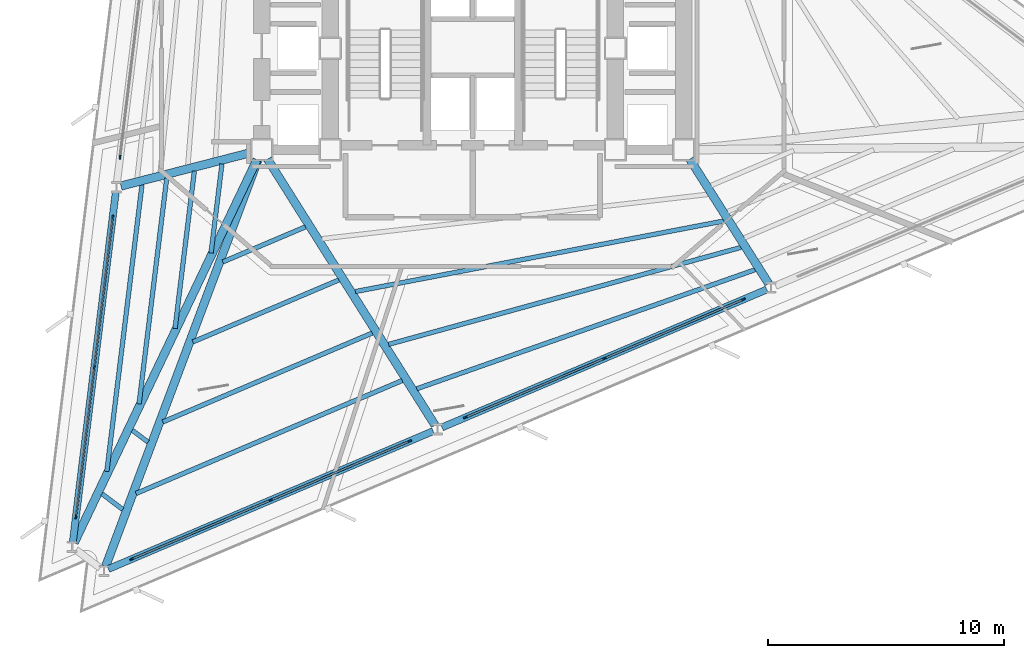
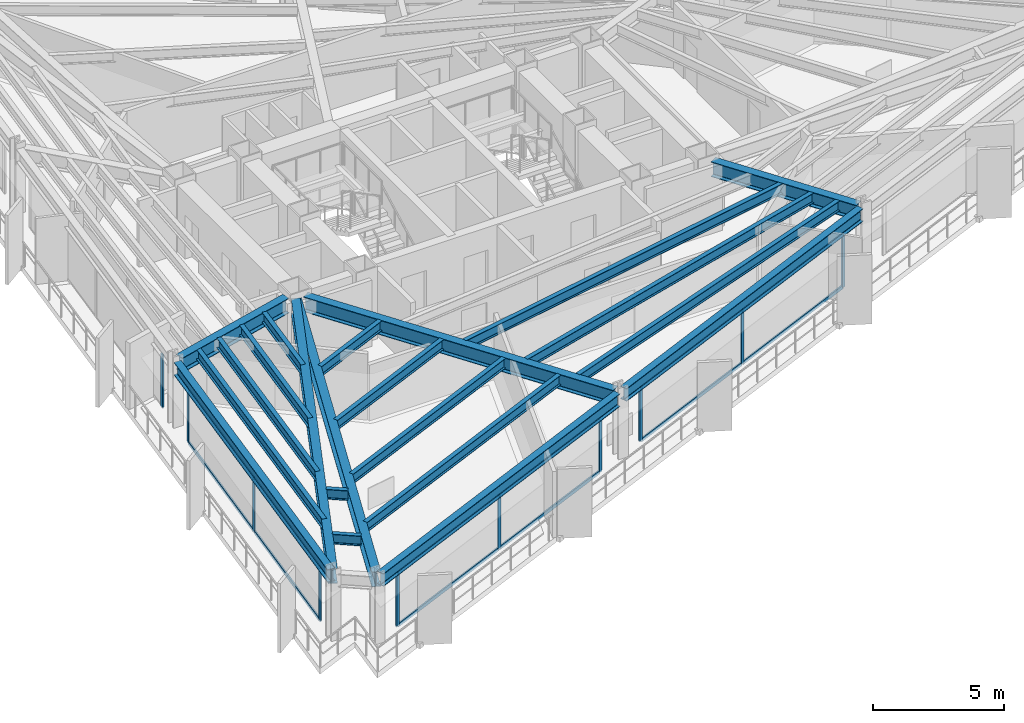
# One storey, part 2 of 13: 22 members, 21 beams, 4 elements without a shape of their own.
"""IFC4 building model written with IfcOpenShell, lengths in metres."""

from ifc_helpers import new_model, si_unit, direction, frame, origin, origin_2d, place, context, subcontext, project, spatial, rectangle, i_section, extrude, material, layer, layer_set, material_profile, profile_set, type_object, element, aggregate, save


model = new_model("IFC4")

# Units and contexts
model_context = context("Model", 3, precision=1e-05, world=origin(), true_north=direction((0.0, 1.0)))
body_context = subcontext(model_context, "Body", "Model", "MODEL_VIEW")
ifc_project = project(units=[si_unit("LENGTHUNIT", "METRE"), si_unit("AREAUNIT", "SQUARE_METRE"), si_unit("VOLUMEUNIT", "CUBIC_METRE"), si_unit("PLANEANGLEUNIT", "RADIAN"), si_unit("MASSUNIT", "GRAM", prefix="KILO")], contexts=[model_context])

# Site, building, storey
site_placement = place(None, origin())
site = spatial("IfcSite", under=ifc_project, at=site_placement, CompositionType="ELEMENT")
building_placement = place(site_placement, origin())
building = spatial("IfcBuilding", under=site, at=building_placement, Name="Rocaltana Carrier Exchange", CompositionType="ELEMENT")
storey_placement = place(building_placement, frame((0.0, 0.0, 52.9599609375)))
storey = spatial("IfcBuildingStorey", under=building, at=storey_placement, Name="L16", CompositionType="ELEMENT", Elevation=52.9599609375)

# Curtain wall, member
ifc_material_1 = material(Name="Aluminium 6063-T6", Category="aluminium")
ifc_layer = layer(ifc_material_1, 0.1650390625)
ifc_layer_set = layer_set([ifc_layer], Name="Aluminium 6063-T6")
curtain_wall_type = type_object("IfcCurtainWallType", Name="Lower-Mid Stepped Curtain Wall CW-02", PredefinedType="NOTDEFINED", material=ifc_layer_set)
curtain_wall_1_placement = place(storey_placement, origin())
curtain_wall_1 = element("IfcCurtainWall", 1, at=curtain_wall_1_placement, inside=storey, type_object=curtain_wall_type, Name="L16 CW-02 Run CW-L16-F2S2", PredefinedType="NOTDEFINED")
ifc_material_2 = material(Name="Aluminium 6063-T6", Category="aluminium")
ifc_material_profile_1 = material_profile(ifc_material_2, rectangle(XDim=0.06494140625, YDim=0.1650390625, at=origin_2d()), Name="AL-65X165")
ifc_profile_set_1 = profile_set([ifc_material_profile_1], Name="Aluminium 6063-T6")
member_type_1 = type_object("IfcMemberType", Name="CW-02 Mullion AL-65X165", PredefinedType="MULLION", material=ifc_profile_set_1)
member_1_placement = place(storey_placement, frame((-14.954345703125, -4.61279296875, 0.0), z_axis=(0.0, 0.0, 1.0), x_axis=(0.992545632614, -0.121873570472, 0.0)))
member_1 = element("IfcMember", 2, at=member_1_placement, type_object=member_type_1, Name="CW-02 mullion 3", PredefinedType="MULLION", context=body_context, shape_type="SweptSolid", body=[
    extrude(rectangle(XDim=0.06494140625, YDim=0.1650390625, at=origin_2d()), origin(), (0.0, 0.0, 1.0), 2.47802734375),
])
aggregate(curtain_wall_1, [member_1])

# Curtain wall, members
curtain_wall_2_placement = place(storey_placement, origin())
curtain_wall_2 = element("IfcCurtainWall", 3, at=curtain_wall_2_placement, inside=storey, type_object=curtain_wall_type, Name="L16 CW-02 Run CW-L16-F2S3", PredefinedType="NOTDEFINED")
member_2_placement = place(storey_placement, frame((-15.266845703125, -7.15869140625, 0.0), z_axis=(0.0, 0.0, 1.0), x_axis=(0.992544692438, -0.121881227076, 0.0)))
member_2 = element("IfcMember", 4, at=member_2_placement, type_object=member_type_1, Name="CW-02 mullion 1", PredefinedType="MULLION", context=body_context, shape_type="SweptSolid", body=[
    extrude(rectangle(XDim=0.06494140625, YDim=0.1650390625, at=origin_2d()), origin(), (0.0, 0.0, 1.0), 2.47802734375),
])
member_3_placement = place(storey_placement, frame((-16.047119140625, -13.51171875, 0.0), z_axis=(0.0, 0.0, 1.0), x_axis=(0.992544692438, -0.121881227076, 0.0)))
member_3 = element("IfcMember", 5, at=member_3_placement, type_object=member_type_1, Name="CW-02 mullion 2", PredefinedType="MULLION", context=body_context, shape_type="SweptSolid", body=[
    extrude(rectangle(XDim=0.06494140625, YDim=0.1650390625, at=origin_2d()), origin(), (0.0, 0.0, 1.0), 2.47802734375),
])
member_4_placement = place(storey_placement, frame((-16.8271484375, -19.86474609375, 0.0), z_axis=(0.0, 0.0, 1.0), x_axis=(0.992544692438, -0.121881227076, 0.0)))
member_4 = element("IfcMember", 6, at=member_4_placement, type_object=member_type_1, Name="CW-02 mullion 3", PredefinedType="MULLION", context=body_context, shape_type="SweptSolid", body=[
    extrude(rectangle(XDim=0.06494140625, YDim=0.1650390625, at=origin_2d()), origin(), (0.0, 0.0, 1.0), 2.47802734375),
])

curtain_wall_3_placement = place(storey_placement, origin())
curtain_wall_3 = element("IfcCurtainWall", 7, at=curtain_wall_3_placement, inside=storey, type_object=curtain_wall_type, Name="L16 CW-02 Run CW-L16-F3S1", PredefinedType="NOTDEFINED")
member_5_placement = place(storey_placement, frame((-14.457275390625, -21.650634765625, 0.0), z_axis=(0.0, 0.0, 1.0), x_axis=(-0.390728673724, 0.920505895435, 0.0)))
member_5 = element("IfcMember", 8, at=member_5_placement, type_object=member_type_1, Name="CW-02 mullion 1", PredefinedType="MULLION", context=body_context, shape_type="SweptSolid", body=[
    extrude(rectangle(XDim=0.06494140625, YDim=0.1650390625, at=origin_2d()), origin(), (0.0, 0.0, 1.0), 2.47802734375),
])
member_6_placement = place(storey_placement, frame((-8.565185546875, -19.149658203125, 0.0), z_axis=(0.0, 0.0, 1.0), x_axis=(-0.390728673724, 0.920505895435, 0.0)))
member_6 = element("IfcMember", 9, at=member_6_placement, type_object=member_type_1, Name="CW-02 mullion 2", PredefinedType="MULLION", context=body_context, shape_type="SweptSolid", body=[
    extrude(rectangle(XDim=0.06494140625, YDim=0.1650390625, at=origin_2d()), origin(), (0.0, 0.0, 1.0), 2.47802734375),
])
member_7_placement = place(storey_placement, frame((-2.673095703125, -16.648681640625, 0.0), z_axis=(0.0, 0.0, 1.0), x_axis=(-0.390728673724, 0.920505895435, 0.0)))
member_7 = element("IfcMember", 10, at=member_7_placement, type_object=member_type_1, Name="CW-02 mullion 3", PredefinedType="MULLION", context=body_context, shape_type="SweptSolid", body=[
    extrude(rectangle(XDim=0.06494140625, YDim=0.1650390625, at=origin_2d()), origin(), (0.0, 0.0, 1.0), 2.47802734375),
])

curtain_wall_4_placement = place(storey_placement, origin())
curtain_wall_4 = element("IfcCurtainWall", 11, at=curtain_wall_4_placement, inside=storey, type_object=curtain_wall_type, Name="L16 CW-02 Run CW-L16-F3S2", PredefinedType="NOTDEFINED")
member_8_placement = place(storey_placement, frame((-0.31201171875, -15.646484375, 0.0), z_axis=(0.0, 0.0, 1.0), x_axis=(-0.390728673724, 0.920505895435, 0.0)))
member_8 = element("IfcMember", 12, at=member_8_placement, type_object=member_type_1, Name="CW-02 mullion 1", PredefinedType="MULLION", context=body_context, shape_type="SweptSolid", body=[
    extrude(rectangle(XDim=0.06494140625, YDim=0.1650390625, at=origin_2d()), origin(), (0.0, 0.0, 1.0), 2.47802734375),
])
member_9_placement = place(storey_placement, frame((5.579833984375, -13.1455078125, 0.0), z_axis=(0.0, 0.0, 1.0), x_axis=(-0.390728673724, 0.920505895435, 0.0)))
member_9 = element("IfcMember", 13, at=member_9_placement, type_object=member_type_1, Name="CW-02 mullion 2", PredefinedType="MULLION", context=body_context, shape_type="SweptSolid", body=[
    extrude(rectangle(XDim=0.06494140625, YDim=0.1650390625, at=origin_2d()), origin(), (0.0, 0.0, 1.0), 2.47802734375),
])
member_10_placement = place(storey_placement, frame((11.471923828125, -10.64453125, 0.0), z_axis=(0.0, 0.0, 1.0), x_axis=(-0.390728673724, 0.920505895435, 0.0)))
member_10 = element("IfcMember", 14, at=member_10_placement, type_object=member_type_1, Name="CW-02 mullion 3", PredefinedType="MULLION", context=body_context, shape_type="SweptSolid", body=[
    extrude(rectangle(XDim=0.06494140625, YDim=0.1650390625, at=origin_2d()), origin(), (0.0, 0.0, 1.0), 2.47802734375),
])

# Member
ifc_material_3 = material(Name="Aluminium 6063-T6", Category="aluminium")
ifc_material_profile_2 = material_profile(ifc_material_3, rectangle(XDim=0.06494140625, YDim=0.1650390625, at=origin_2d()), Name="AL-65X165")
ifc_profile_set_2 = profile_set([ifc_material_profile_2], Name="Aluminium 6063-T6")
member_type_2 = type_object("IfcMemberType", Name="CW-02 Transom AL-65X165", PredefinedType="USERDEFINED", material=ifc_profile_set_2)
member_11_placement = place(storey_placement, frame((-15.270751953125, -7.19091796875, 0.032470703125), z_axis=(-0.121881311797, -0.992544682034, 0.0), x_axis=(0.992544682034, -0.121881311797, 0.0)))
member_11 = element("IfcMember", 15, at=member_11_placement, type_object=member_type_2, Name="CW-02 transom 1.1", ObjectType="TRANSOM", PredefinedType="USERDEFINED", context=body_context, shape_type="SweptSolid", body=[
    extrude(rectangle(XDim=0.06494140625, YDim=0.1650390625, at=origin_2d()), origin(), (0.0, 0.0, 1.0), 6.335693359375),
])

member_12_placement = place(storey_placement, frame((-15.270751953125, -7.19091796875, 2.445556640625), z_axis=(-0.121881311797, -0.992544682034, 0.0), x_axis=(0.992544682034, -0.121881311797, 0.0)))
member_12 = element("IfcMember", 16, at=member_12_placement, type_object=member_type_2, Name="CW-02 transom 1.2", ObjectType="TRANSOM", PredefinedType="USERDEFINED", context=body_context, shape_type="SweptSolid", body=[
    extrude(rectangle(XDim=0.06494140625, YDim=0.1650390625, at=origin_2d()), origin(), (0.0, 0.0, 1.0), 6.335693359375),
])

member_13_placement = place(storey_placement, frame((-16.051025390625, -13.5439453125, 0.032470703125), z_axis=(-0.121881311797, -0.992544682034, 0.0), x_axis=(0.992544682034, -0.121881311797, 0.0)))
member_13 = element("IfcMember", 17, at=member_13_placement, type_object=member_type_2, Name="CW-02 transom 2.1", ObjectType="TRANSOM", PredefinedType="USERDEFINED", context=body_context, shape_type="SweptSolid", body=[
    extrude(rectangle(XDim=0.06494140625, YDim=0.1650390625, at=origin_2d()), origin(), (0.0, 0.0, 1.0), 6.335693359375),
])

member_14_placement = place(storey_placement, frame((-16.051025390625, -13.5439453125, 2.445556640625), z_axis=(-0.121881311797, -0.992544682034, 0.0), x_axis=(0.992544682034, -0.121881311797, 0.0)))
member_14 = element("IfcMember", 18, at=member_14_placement, type_object=member_type_2, Name="CW-02 transom 2.2", ObjectType="TRANSOM", PredefinedType="USERDEFINED", context=body_context, shape_type="SweptSolid", body=[
    extrude(rectangle(XDim=0.06494140625, YDim=0.1650390625, at=origin_2d()), origin(), (0.0, 0.0, 1.0), 6.335693359375),
])

aggregate(curtain_wall_2, [member_2, member_3, member_4, member_11, member_12, member_13, member_14])

member_15_placement = place(storey_placement, frame((-14.42724609375, -21.637939453125, 0.032470703125), z_axis=(0.920508718486, 0.390722022916, 0.0), x_axis=(-0.390722022916, 0.920508718486, 0.0)))
member_15 = element("IfcMember", 19, at=member_15_placement, type_object=member_type_2, Name="CW-02 transom 1.1", ObjectType="TRANSOM", PredefinedType="USERDEFINED", context=body_context, shape_type="SweptSolid", body=[
    extrude(rectangle(XDim=0.06494140625, YDim=0.1650390625, at=origin_2d()), origin(), (0.0, 0.0, 1.0), 6.3359375),
])

member_16_placement = place(storey_placement, frame((-14.42724609375, -21.637939453125, 2.445556640625), z_axis=(0.920508718486, 0.390722022916, 0.0), x_axis=(-0.390722022916, 0.920508718486, 0.0)))
member_16 = element("IfcMember", 20, at=member_16_placement, type_object=member_type_2, Name="CW-02 transom 1.2", ObjectType="TRANSOM", PredefinedType="USERDEFINED", context=body_context, shape_type="SweptSolid", body=[
    extrude(rectangle(XDim=0.06494140625, YDim=0.1650390625, at=origin_2d()), origin(), (0.0, 0.0, 1.0), 6.3359375),
])

member_17_placement = place(storey_placement, frame((-8.53515625, -19.136962890625, 0.032470703125), z_axis=(0.920502835622, 0.390735882167, 0.0), x_axis=(-0.390735882167, 0.920502835622, 0.0)))
member_17 = element("IfcMember", 21, at=member_17_placement, type_object=member_type_2, Name="CW-02 transom 2.1", ObjectType="TRANSOM", PredefinedType="USERDEFINED", context=body_context, shape_type="SweptSolid", body=[
    extrude(rectangle(XDim=0.06494140625, YDim=0.1650390625, at=origin_2d()), origin(), (0.0, 0.0, 1.0), 6.335693359375),
])

member_18_placement = place(storey_placement, frame((-8.53515625, -19.136962890625, 2.445556640625), z_axis=(0.920502835622, 0.390735882167, 0.0), x_axis=(-0.390735882167, 0.920502835622, 0.0)))
member_18 = element("IfcMember", 22, at=member_18_placement, type_object=member_type_2, Name="CW-02 transom 2.2", ObjectType="TRANSOM", PredefinedType="USERDEFINED", context=body_context, shape_type="SweptSolid", body=[
    extrude(rectangle(XDim=0.06494140625, YDim=0.1650390625, at=origin_2d()), origin(), (0.0, 0.0, 1.0), 6.335693359375),
])

aggregate(curtain_wall_3, [member_5, member_6, member_7, member_15, member_16, member_17, member_18])

member_19_placement = place(storey_placement, frame((-0.2822265625, -15.6337890625, 0.032470703125), z_axis=(0.920508718486, 0.390722022916, 0.0), x_axis=(-0.390722022916, 0.920508718486, 0.0)))
member_19 = element("IfcMember", 23, at=member_19_placement, type_object=member_type_2, Name="CW-02 transom 1.1", ObjectType="TRANSOM", PredefinedType="USERDEFINED", context=body_context, shape_type="SweptSolid", body=[
    extrude(rectangle(XDim=0.06494140625, YDim=0.1650390625, at=origin_2d()), origin(), (0.0, 0.0, 1.0), 6.3359375),
])

member_20_placement = place(storey_placement, frame((-0.2822265625, -15.6337890625, 2.445556640625), z_axis=(0.920508718486, 0.390722022916, 0.0), x_axis=(-0.390722022916, 0.920508718486, 0.0)))
member_20 = element("IfcMember", 24, at=member_20_placement, type_object=member_type_2, Name="CW-02 transom 1.2", ObjectType="TRANSOM", PredefinedType="USERDEFINED", context=body_context, shape_type="SweptSolid", body=[
    extrude(rectangle(XDim=0.06494140625, YDim=0.1650390625, at=origin_2d()), origin(), (0.0, 0.0, 1.0), 6.3359375),
])

member_21_placement = place(storey_placement, frame((5.60986328125, -13.1328125, 0.032470703125), z_axis=(0.920508718486, 0.390722022916, 0.0), x_axis=(-0.390722022916, 0.920508718486, 0.0)))
member_21 = element("IfcMember", 25, at=member_21_placement, type_object=member_type_2, Name="CW-02 transom 2.1", ObjectType="TRANSOM", PredefinedType="USERDEFINED", context=body_context, shape_type="SweptSolid", body=[
    extrude(rectangle(XDim=0.06494140625, YDim=0.1650390625, at=origin_2d()), origin(), (0.0, 0.0, 1.0), 6.3359375),
])

member_22_placement = place(storey_placement, frame((5.60986328125, -13.1328125, 2.445556640625), z_axis=(0.920508718486, 0.390722022916, 0.0), x_axis=(-0.390722022916, 0.920508718486, 0.0)))
member_22 = element("IfcMember", 26, at=member_22_placement, type_object=member_type_2, Name="CW-02 transom 2.2", ObjectType="TRANSOM", PredefinedType="USERDEFINED", context=body_context, shape_type="SweptSolid", body=[
    extrude(rectangle(XDim=0.06494140625, YDim=0.1650390625, at=origin_2d()), origin(), (0.0, 0.0, 1.0), 6.3359375),
])

aggregate(curtain_wall_4, [member_8, member_9, member_10, member_19, member_20, member_21, member_22])

# Beams
ifc_material_4 = material(Name="Steel S355", Category="steel")
ifc_material_profile_3 = material_profile(ifc_material_4, i_section(OverallWidth=0.193115234375, OverallDepth=0.466064453125, WebThickness=0.011474609375, FlangeThickness=0.01904296875, FilletRadius=0.013916015625, at=origin_2d()), Name="W18X65")
ifc_profile_set_3 = profile_set([ifc_material_profile_3], Name="Steel S355")
beam_type_1 = type_object("IfcBeamType", Name="Floor Joist W18X65", PredefinedType="JOIST", material=ifc_profile_set_3)
beam_1_placement = place(storey_placement, frame((-10.63427734375, -4.8984375, 2.864990234375), z_axis=(-0.121879106214, -0.99254495287, 0.0), x_axis=(0.99254495287, -0.121879106214, 0.0)))
element("IfcBeam", 27, at=beam_1_placement, inside=storey, type_object=beam_type_1, Name="FJ-L16-07-1", PredefinedType="JOIST", context=body_context, shape_type="SweptSolid", body=[
    extrude(i_section(OverallWidth=0.193115234375, OverallDepth=0.466064453125, WebThickness=0.011474609375, FlangeThickness=0.01904296875, FilletRadius=0.013916015625, at=origin_2d()), origin(), (0.0, 0.0, 1.0), 3.805908203125),
])
beam_2_placement = place(storey_placement, frame((-11.8046875, -5.19970703125, 2.864990234375), z_axis=(-0.121894438401, -0.992543070041, 0.0), x_axis=(0.992543070041, -0.121894438401, 0.0)))
element("IfcBeam", 28, at=beam_2_placement, inside=storey, type_object=beam_type_1, Name="FJ-L16-07-2", PredefinedType="JOIST", context=body_context, shape_type="SweptSolid", body=[
    extrude(i_section(OverallWidth=0.193115234375, OverallDepth=0.466064453125, WebThickness=0.011474609375, FlangeThickness=0.01904296875, FilletRadius=0.013916015625, at=origin_2d()), origin(), (0.0, 0.0, 1.0), 6.7255859375),
])
beam_3_placement = place(storey_placement, frame((-12.975341796875, -5.5009765625, 2.864990234375), z_axis=(-0.121878614676, -0.992545013228, 0.0), x_axis=(0.992545013228, -0.121878614676, 0.0)))
element("IfcBeam", 29, at=beam_3_placement, inside=storey, type_object=beam_type_1, Name="FJ-L16-07-3", PredefinedType="JOIST", context=body_context, shape_type="SweptSolid", body=[
    extrude(i_section(OverallWidth=0.193115234375, OverallDepth=0.466064453125, WebThickness=0.011474609375, FlangeThickness=0.01904296875, FilletRadius=0.013916015625, at=origin_2d()), origin(), (0.0, 0.0, 1.0), 9.645263671875),
])
beam_4_placement = place(storey_placement, frame((-14.022705078125, -5.7705078125, 2.864990234375), z_axis=(-0.121874778131, -0.992545484326, 0.0), x_axis=(0.992545484326, -0.121874778131, 0.0)))
element("IfcBeam", 30, at=beam_4_placement, inside=storey, type_object=beam_type_1, Name="FJ-L16-07-4", PredefinedType="JOIST", context=body_context, shape_type="SweptSolid", body=[
    extrude(i_section(OverallWidth=0.193115234375, OverallDepth=0.466064453125, WebThickness=0.011474609375, FlangeThickness=0.01904296875, FilletRadius=0.013916015625, at=origin_2d()), origin(), (0.0, 0.0, 1.0), 12.257568359375),
])
beam_5_placement = place(storey_placement, frame((-14.436279296875, -16.189697265625, 2.864990234375), z_axis=(0.798596771992, -0.601866426845, 0.0), x_axis=(0.601866426845, 0.798596771992, 0.0)))
element("IfcBeam", 31, at=beam_5_placement, inside=storey, type_object=beam_type_1, Name="FJ-L16-08-3", PredefinedType="JOIST", context=body_context, shape_type="SweptSolid", body=[
    extrude(i_section(OverallWidth=0.193115234375, OverallDepth=0.466064453125, WebThickness=0.011474609375, FlangeThickness=0.01904296875, FilletRadius=0.013916015625, at=origin_2d()), origin(), (0.0, 0.0, 1.0), 0.83642578125),
])
beam_6_placement = place(storey_placement, frame((-15.7216796875, -18.8837890625, 2.864990234375), z_axis=(0.798673550691, -0.601764538193, 0.0), x_axis=(0.601764538193, 0.798673550691, 0.0)))
element("IfcBeam", 32, at=beam_6_placement, inside=storey, type_object=beam_type_1, Name="FJ-L16-08-4", PredefinedType="JOIST", context=body_context, shape_type="SweptSolid", body=[
    extrude(i_section(OverallWidth=0.193115234375, OverallDepth=0.466064453125, WebThickness=0.011474609375, FlangeThickness=0.01904296875, FilletRadius=0.013916015625, at=origin_2d()), origin(), (0.0, 0.0, 1.0), 1.10595703125),
])
beam_7_placement = place(storey_placement, frame((-10.597900390625, -9.052978515625, 2.864990234375), z_axis=(0.920509781797, 0.390719517834, 0.0), x_axis=(-0.390719517834, 0.920509781797, 0.0)))
element("IfcBeam", 33, at=beam_7_placement, inside=storey, type_object=beam_type_1, Name="FJ-L16-09-1", PredefinedType="JOIST", context=body_context, shape_type="SweptSolid", body=[
    extrude(i_section(OverallWidth=0.193115234375, OverallDepth=0.466064453125, WebThickness=0.011474609375, FlangeThickness=0.01904296875, FilletRadius=0.013916015625, at=origin_2d()), origin(), (0.0, 0.0, 1.0), 3.805908203125),
])
beam_8_placement = place(storey_placement, frame((-11.868408203125, -12.44482421875, 2.864990234375), z_axis=(0.920502665094, 0.390736283898, 0.0), x_axis=(-0.390736283898, 0.920502665094, 0.0)))
element("IfcBeam", 34, at=beam_8_placement, inside=storey, type_object=beam_type_1, Name="FJ-L16-09-2", PredefinedType="JOIST", context=body_context, shape_type="SweptSolid", body=[
    extrude(i_section(OverallWidth=0.193115234375, OverallDepth=0.466064453125, WebThickness=0.011474609375, FlangeThickness=0.01904296875, FilletRadius=0.013916015625, at=origin_2d()), origin(), (0.0, 0.0, 1.0), 6.7255859375),
])
beam_9_placement = place(storey_placement, frame((-13.13916015625, -15.836669921875, 2.864990234375), z_axis=(0.920512824991, 0.390712348188, 0.0), x_axis=(-0.390712348188, 0.920512824991, 0.0)))
element("IfcBeam", 35, at=beam_9_placement, inside=storey, type_object=beam_type_1, Name="FJ-L16-09-3", PredefinedType="JOIST", context=body_context, shape_type="SweptSolid", body=[
    extrude(i_section(OverallWidth=0.193115234375, OverallDepth=0.466064453125, WebThickness=0.011474609375, FlangeThickness=0.01904296875, FilletRadius=0.013916015625, at=origin_2d()), origin(), (0.0, 0.0, 1.0), 9.645263671875),
])
beam_10_placement = place(storey_placement, frame((-14.27587890625, -18.87158203125, 2.864990234375), z_axis=(0.92049843191, 0.39074625635, 0.0), x_axis=(-0.39074625635, 0.92049843191, 0.0)))
element("IfcBeam", 36, at=beam_10_placement, inside=storey, type_object=beam_type_1, Name="FJ-L16-09-4", PredefinedType="JOIST", context=body_context, shape_type="SweptSolid", body=[
    extrude(i_section(OverallWidth=0.193115234375, OverallDepth=0.466064453125, WebThickness=0.011474609375, FlangeThickness=0.01904296875, FilletRadius=0.013916015625, at=origin_2d()), origin(), (0.0, 0.0, 1.0), 12.25732421875),
])
beam_11_placement = place(storey_placement, frame((-4.978271484375, -10.31005859375, 2.864990234375), z_axis=(0.982142482744, 0.188138628647, 0.0), x_axis=(-0.188138628647, 0.982142482744, 0.0)))
element("IfcBeam", 37, at=beam_11_placement, inside=storey, type_object=beam_type_1, Name="FJ-L16-10-2", PredefinedType="JOIST", context=body_context, shape_type="SweptSolid", body=[
    extrude(i_section(OverallWidth=0.193115234375, OverallDepth=0.466064453125, WebThickness=0.011474609375, FlangeThickness=0.01904296875, FilletRadius=0.013916015625, at=origin_2d()), origin(), (0.0, 0.0, 1.0), 15.9326171875),
])
beam_12_placement = place(storey_placement, frame((-3.564453125, -12.5478515625, 2.864990234375), z_axis=(0.964150794225, 0.265354943415, 0.0), x_axis=(-0.265354943415, 0.964150794225, 0.0)))
element("IfcBeam", 38, at=beam_12_placement, inside=storey, type_object=beam_type_1, Name="FJ-L16-10-3", PredefinedType="JOIST", context=body_context, shape_type="SweptSolid", body=[
    extrude(i_section(OverallWidth=0.193115234375, OverallDepth=0.466064453125, WebThickness=0.011474609375, FlangeThickness=0.01904296875, FilletRadius=0.013916015625, at=origin_2d()), origin(), (0.0, 0.0, 1.0), 15.496337890625),
])
beam_13_placement = place(storey_placement, frame((-2.375, -14.431884765625, 2.864990234375), z_axis=(0.943283630241, 0.331987940924, 0.0), x_axis=(-0.331987940924, 0.943283630241, 0.0)))
element("IfcBeam", 39, at=beam_13_placement, inside=storey, type_object=beam_type_1, Name="FJ-L16-10-4", PredefinedType="JOIST", context=body_context, shape_type="SweptSolid", body=[
    extrude(i_section(OverallWidth=0.193115234375, OverallDepth=0.466064453125, WebThickness=0.011474609375, FlangeThickness=0.01904296875, FilletRadius=0.013916015625, at=origin_2d()), origin(), (0.0, 0.0, 1.0), 15.2099609375),
])
ifc_material_5 = material(Name="Steel S355", Category="steel")
ifc_material_profile_4 = material_profile(ifc_material_5, i_section(OverallWidth=0.35498046875, OverallDepth=0.695068359375, WebThickness=0.015380859375, FlangeThickness=0.02490234375, FilletRadius=0.01806640625, at=origin_2d()), Name="W27X146")
ifc_profile_set_4 = profile_set([ifc_material_profile_4], Name="Steel S355")
beam_type_2 = type_object("IfcBeamType", Name="Radial Girder W27X146", PredefinedType="BEAM", material=ifc_profile_set_4)
beam_14_placement = place(storey_placement, frame((-9.40234375, -4.41650390625, 2.75048828125), z_axis=(-0.968443537088, -0.249233054534, 0.0), x_axis=(0.249233054534, -0.968443537088, 0.0)))
element("IfcBeam", 40, at=beam_14_placement, inside=storey, type_object=beam_type_2, Name="RG-L16-07", PredefinedType="BEAM", context=body_context, shape_type="SweptSolid", body=[
    extrude(i_section(OverallWidth=0.35498046875, OverallDepth=0.695068359375, WebThickness=0.015380859375, FlangeThickness=0.02490234375, FilletRadius=0.01806640625, at=origin_2d()), origin(), (0.0, 0.0, 1.0), 5.6904296875),
])
beam_15_placement = place(storey_placement, frame((-9.151123046875, -4.721435546875, 2.75048828125), z_axis=(-0.430603189331, -0.902541352702, 0.0), x_axis=(0.902541352702, -0.430603189331, 0.0)))
element("IfcBeam", 41, at=beam_15_placement, inside=storey, type_object=beam_type_2, Name="RG-L16-08", PredefinedType="BEAM", context=body_context, shape_type="SweptSolid", body=[
    extrude(i_section(OverallWidth=0.35498046875, OverallDepth=0.695068359375, WebThickness=0.015380859375, FlangeThickness=0.02490234375, FilletRadius=0.01806640625, at=origin_2d()), origin(), (0.0, 0.0, 1.0), 17.98486328125),
])
beam_16_placement = place(storey_placement, frame((-9.11376953125, -4.7373046875, 2.75048828125), z_axis=(-0.350819393194, -0.936443139416, 0.0), x_axis=(0.936443139416, -0.350819393194, 0.0)))
element("IfcBeam", 42, at=beam_16_placement, inside=storey, type_object=beam_type_2, Name="RG-L16-09", PredefinedType="BEAM", context=body_context, shape_type="SweptSolid", body=[
    extrude(i_section(OverallWidth=0.35498046875, OverallDepth=0.695068359375, WebThickness=0.015380859375, FlangeThickness=0.02490234375, FilletRadius=0.01806640625, at=origin_2d()), origin(), (0.0, 0.0, 1.0), 18.392333984375),
])
beam_17_placement = place(storey_placement, frame((-8.701171875, -4.6953125, 2.75048828125), z_axis=(0.53269326445, -0.846308387061, 0.0), x_axis=(0.846308387061, 0.53269326445, 0.0)))
element("IfcBeam", 43, at=beam_17_placement, inside=storey, type_object=beam_type_2, Name="RG-L16-10", PredefinedType="BEAM", context=body_context, shape_type="SweptSolid", body=[
    extrude(i_section(OverallWidth=0.35498046875, OverallDepth=0.695068359375, WebThickness=0.015380859375, FlangeThickness=0.02490234375, FilletRadius=0.01806640625, at=origin_2d()), origin(), (0.0, 0.0, 1.0), 13.328125),
])
beam_18_placement = place(storey_placement, frame((9.199951171875, -4.694580078125, 2.75048828125), z_axis=(0.535212931664, -0.844717182127, 0.0), x_axis=(0.844717182127, 0.535212931664, 0.0)))
element("IfcBeam", 44, at=beam_18_placement, inside=storey, type_object=beam_type_2, Name="RG-L16-11", PredefinedType="BEAM", context=body_context, shape_type="SweptSolid", body=[
    extrude(i_section(OverallWidth=0.35498046875, OverallDepth=0.695068359375, WebThickness=0.015380859375, FlangeThickness=0.02490234375, FilletRadius=0.01806640625, at=origin_2d()), origin(), (0.0, 0.0, 1.0), 6.24658203125),
])
ifc_material_6 = material(Name="Steel S355", Category="steel")
ifc_material_profile_5 = material_profile(ifc_material_6, i_section(OverallWidth=0.300048828125, OverallDepth=0.60009765625, WebThickness=0.015380859375, FlangeThickness=0.030029296875, FilletRadius=0.027099609375, at=origin_2d()), Name="HEB600")
ifc_profile_set_5 = profile_set([ifc_material_profile_5], Name="Steel S355")
beam_type_3 = type_object("IfcBeamType", Name="Spandrel Edge Beam HEB600", PredefinedType="SPANDREL", material=ifc_profile_set_5)
for number, where, z_axis, x_axis, name in (
    (45, (-15.135498046875, -6.088134765625, 2.798095703125), (-0.121869017222, -0.992546191691, 0.0), (0.992546191691, -0.121869017222, 0.0), "SP-L16-07"),
    (46, (-15.449951171875, -22.072021484375, 2.798095703125), (0.920507081962, 0.390725878407, 0.0), (-0.390725878407, 0.920507081962, 0.0), "SP-L16-09"),
):
    element("IfcBeam", number, at=place(storey_placement, frame(where, z_axis=z_axis, x_axis=x_axis)), inside=storey, type_object=beam_type_3, Name=name, PredefinedType="SPANDREL", context=body_context, shape_type="SweptSolid", body=[
        extrude(i_section(OverallWidth=0.300048828125, OverallDepth=0.60009765625, WebThickness=0.015380859375, FlangeThickness=0.030029296875, FilletRadius=0.027099609375, at=origin_2d()), origin(), (0.0, 0.0, 1.0), 14.958740234375),
    ])
beam_19_placement = place(storey_placement, frame((-1.3046875, -16.06787109375, 2.798095703125), z_axis=(0.920504590225, 0.390731748613, 0.0), x_axis=(-0.390731748613, 0.920504590225, 0.0)))
element("IfcBeam", 47, at=beam_19_placement, inside=storey, type_object=beam_type_3, Name="SP-L16-10", PredefinedType="SPANDREL", context=body_context, shape_type="SweptSolid", body=[
    extrude(i_section(OverallWidth=0.300048828125, OverallDepth=0.60009765625, WebThickness=0.015380859375, FlangeThickness=0.030029296875, FilletRadius=0.027099609375, at=origin_2d()), origin(), (0.0, 0.0, 1.0), 14.95849609375),
])

save(model, "model.ifc")
